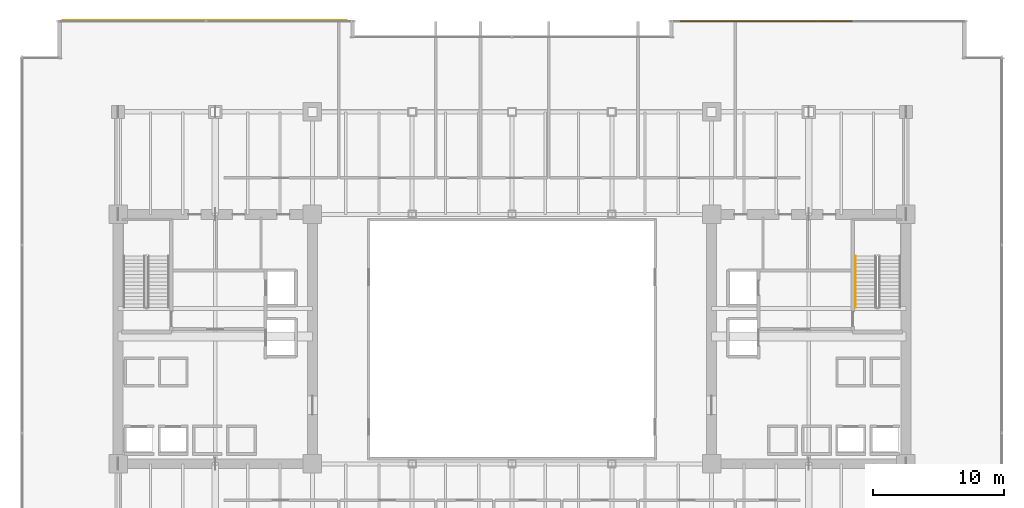
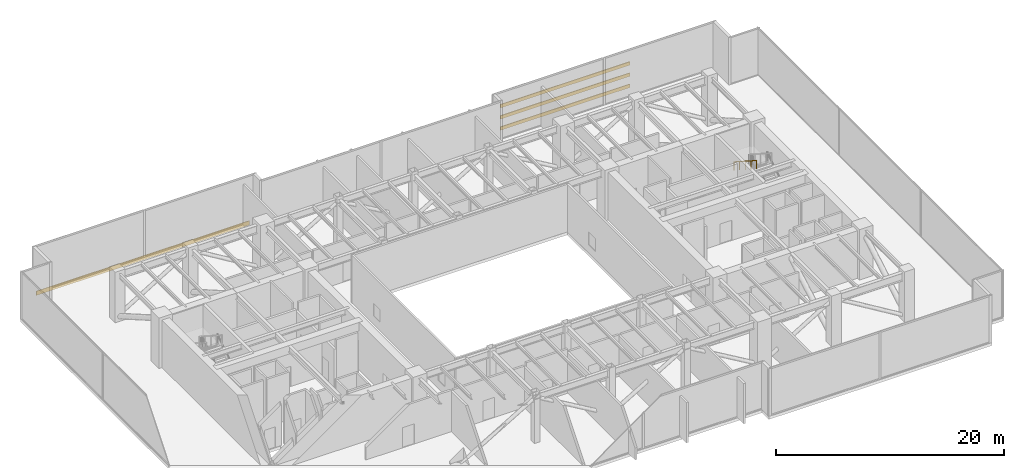
# One storey, part 37 of 38: 3 shading devices, 1 covering, 1 railing.
"""IFC4 building model written with IfcOpenShell, lengths in metres."""

import ifcopenshell
import ifcopenshell.guid

model = None  # the IFC model being written
_history = None  # IfcOwnerHistory: only IFC2X3 demands one
_inside = {}  # id of a spatial element -> (the spatial element, [elements in it])
_under = {}  # id of a project, library or spatial element -> (it, [spatial elements below it])
_declared = {}  # id of a project -> (the project, [libraries it declares])
_typed = {}  # id of a type object -> (the type object, [elements of that type])
_made_of = {}  # id of a material, layer set ... -> (it, [elements and type objects made of it])


def new_model(schema):
    """Start an empty IFC model of exactly this schema.

    Asked for "IFC4X3", IfcOpenShell would pick the latest addendum, in which some entities
    have other attributes; the version numbers below select the first issue.
    IFC2X3 requires an IfcOwnerHistory on every rooted entity: one is made here for all.
    """
    global model, _history
    if schema == "IFC4X3":
        model = ifcopenshell.file(schema_version=(4, 3, 0, 0))
    else:
        model = ifcopenshell.file(schema=schema)
    _inside.clear()
    _under.clear()
    _declared.clear()
    _typed.clear()
    _made_of.clear()
    _history = None
    if model.schema == "IFC2X3":
        org = make("IfcOrganization", Name="unknown")
        user = make(
            "IfcPersonAndOrganization",
            ThePerson=make("IfcPerson", FamilyName="unknown"),
            TheOrganization=org,
        )
        app = make(
            "IfcApplication",
            ApplicationDeveloper=org,
            Version="unknown",
            ApplicationFullName="unknown",
            ApplicationIdentifier="unknown",
        )
        _history = make(
            "IfcOwnerHistory",
            OwningUser=user,
            OwningApplication=app,
            ChangeAction="ADDED",
            CreationDate=0,
        )
    return model


def make(cls, **values):
    """One entity of the class cls with the attributes given. An attribute that is None is left unset."""
    return model.create_entity(
        cls, **{name: value for name, value in values.items() if value is not None}
    )


def rooted(cls, **values):
    """An entity with a GlobalId (a new one), such as an element, a storey or a relation."""
    return make(cls, GlobalId=ifcopenshell.guid.new(), OwnerHistory=_history, **values)


def si_unit(unit_type, name, prefix=None):
    """IfcSIUnit, for example si_unit("LENGTHUNIT", "METRE", prefix="MILLI")."""
    return make("IfcSIUnit", UnitType=unit_type, Prefix=prefix, Name=name)


def assignment(units):
    """IfcUnitAssignment: the units of a project."""
    return None if units is None else make("IfcUnitAssignment", Units=units)


def point(xyz):
    """IfcCartesianPoint."""
    return None if xyz is None else make("IfcCartesianPoint", Coordinates=xyz)


def direction(xyz):
    """IfcDirection."""
    return None if xyz is None else make("IfcDirection", DirectionRatios=xyz)


def frame(location, z_axis=None, x_axis=None):
    """IfcAxis2Placement3D, a coordinate frame: its origin and axes. An axis left out is left unset."""
    return make(
        "IfcAxis2Placement3D",
        Location=point(location),
        Axis=direction(z_axis),
        RefDirection=direction(x_axis),
    )


def frame_2d(location, x_axis=None):
    """IfcAxis2Placement2D, a coordinate frame in the plane: its origin and x axis."""
    return make(
        "IfcAxis2Placement2D", Location=point(location), RefDirection=direction(x_axis)
    )


def origin():
    """The frame at (0, 0, 0) with its axes left unset."""
    return frame((0.0, 0.0, 0.0))


def origin_2d():
    """The frame at (0, 0) in the plane with its x axis left unset."""
    return frame_2d((0.0, 0.0))


def place(relative_to, where):
    """IfcLocalPlacement: puts the frame where relative to a parent placement (None: the world)."""
    return make(
        "IfcLocalPlacement", PlacementRelTo=relative_to, RelativePlacement=where
    )


def context(
    kind, dimensions, precision=None, world=None, true_north=None, identifier=None
):
    """IfcGeometricRepresentationContext, for example the 3D "Model" context."""
    return make(
        "IfcGeometricRepresentationContext",
        ContextIdentifier=identifier,
        ContextType=kind,
        CoordinateSpaceDimension=dimensions,
        Precision=precision,
        WorldCoordinateSystem=world,
        TrueNorth=true_north,
    )


def subcontext(parent, identifier, kind, view, scale=None):
    """IfcGeometricRepresentationSubContext, for example "Body" below "Model"."""
    return make(
        "IfcGeometricRepresentationSubContext",
        ContextIdentifier=identifier,
        ContextType=kind,
        ParentContext=parent,
        TargetScale=scale,
        TargetView=view,
    )


def project(units=None, contexts=None):
    """IfcProject with its units and contexts."""
    return rooted(
        "IfcProject",
        Name="project",
        RepresentationContexts=contexts,
        UnitsInContext=assignment(units),
    )


def spatial(cls, under=None, at=None, **own):
    """A site, building, storey or space (cls), placed at a placement, below another one or the project."""
    s = rooted(cls, ObjectPlacement=at, **own)
    if under is not None:
        _under.setdefault(under.id(), (under, []))[1].append(s)
    return s


def profile(cls, at=None, kind="AREA", **sizes):
    """A parametric profile (cls). Its sizes go by their IFC names, for example OverallWidth=200.0."""
    return make(cls, ProfileType=kind, Position=at, **sizes)


def rectangle(**sizes):
    """IfcRectangleProfileDef."""
    return profile("IfcRectangleProfileDef", **sizes)


def circle(**sizes):
    """IfcCircleProfileDef."""
    return profile("IfcCircleProfileDef", **sizes)


def extrude(swept, where, along, depth):
    """IfcExtrudedAreaSolid: the profile swept, set in the frame where, extruded along a direction by depth."""
    return make(
        "IfcExtrudedAreaSolid",
        SweptArea=swept,
        Position=where,
        ExtrudedDirection=direction(along),
        Depth=depth,
    )


def shape(context_of_items, identifier, shape_type, items):
    """IfcShapeRepresentation: the items that make up one representation, for example the "Body"."""
    return make(
        "IfcShapeRepresentation",
        ContextOfItems=context_of_items,
        RepresentationIdentifier=identifier,
        RepresentationType=shape_type,
        Items=items,
    )


def source(mapping_origin, context_of_items, identifier, shape_type, items):
    """IfcRepresentationMap: a shape defined once, which mapped items show again and again."""
    return make(
        "IfcRepresentationMap",
        MappingOrigin=mapping_origin,
        MappedRepresentation=shape(context_of_items, identifier, shape_type, items),
    )


def transform(
    local_origin,
    x_axis=None,
    y_axis=None,
    z_axis=None,
    scale=None,
    scale2=None,
    scale3=None,
    uniform=True,
):
    """IfcCartesianTransformationOperator3D, or its non-uniform kind. x_axis, y_axis, z_axis: its Axis1, 2, 3."""
    if uniform:
        return make(
            "IfcCartesianTransformationOperator3D",
            Axis1=direction(x_axis),
            Axis2=direction(y_axis),
            LocalOrigin=point(local_origin),
            Scale=scale,
            Axis3=direction(z_axis),
        )
    return make(
        "IfcCartesianTransformationOperator3DnonUniform",
        Axis1=direction(x_axis),
        Axis2=direction(y_axis),
        LocalOrigin=point(local_origin),
        Scale=scale,
        Axis3=direction(z_axis),
        Scale2=scale2,
        Scale3=scale3,
    )


def mapped(mapping_source, mapping_target):
    """IfcMappedItem: shows the shape of a source again, moved by a transform."""
    return make(
        "IfcMappedItem", MappingSource=mapping_source, MappingTarget=mapping_target
    )


def material(Name=None, Category=None):
    """IfcMaterial."""
    return make("IfcMaterial", Name=Name, Category=Category)


def layer(
    of_material, thickness, ventilated=None, Name=None, Category=None, Priority=None
):
    """IfcMaterialLayer: one layer of a wall or slab, of a material (None: an air gap)."""
    return make(
        "IfcMaterialLayer",
        Material=of_material,
        LayerThickness=thickness,
        IsVentilated=ventilated,
        Name=Name,
        Category=Category,
        Priority=Priority,
    )


def layer_set(layers, Name=None):
    """IfcMaterialLayerSet."""
    return make("IfcMaterialLayerSet", MaterialLayers=layers, LayerSetName=Name)


def material_profile(
    of_material, cross_section, Name=None, Category=None, Priority=None
):
    """IfcMaterialProfile: a cross section and its material."""
    return make(
        "IfcMaterialProfile",
        Name=Name,
        Material=of_material,
        Profile=cross_section,
        Priority=Priority,
        Category=Category,
    )


def profile_set(profiles, Name=None, composite=None):
    """IfcMaterialProfileSet."""
    return make(
        "IfcMaterialProfileSet",
        Name=Name,
        MaterialProfiles=profiles,
        CompositeProfile=composite,
    )


def made_of(thing, what):
    """Note that an element or type object is made of a material, layer set ...; save() writes the relation."""
    if what is not None:
        _made_of.setdefault(what.id(), (what, []))[1].append(thing)
    return thing


def type_object(cls, material=None, **own):
    """A type object (cls), such as IfcWallType, which elements share."""
    return made_of(rooted(cls, **own), material)


def type_shapes(of_type, sources):
    """Give a type object the sources (RepresentationMaps) that its elements show as mapped items."""
    of_type.RepresentationMaps = sources


def element(
    cls,
    number,
    at=None,
    inside=None,
    cuts=None,
    type_object=None,
    material=None,
    context=None,
    identifier="Body",
    shape_type=None,
    held_by="IfcProductDefinitionShape",
    body=None,
    shapes=None,
    **own,
):
    """One element of the class cls, such as IfcWall. Its Tag is "e" and its number.

    at: its placement. inside: the storey or other place that contains it. cuts: it is an
    opening in that element (IfcRelVoidsElement). A single representation is given by context,
    identifier, shape_type and body (its items); several are given by shapes. held_by: the class
    of the entity that holds the representations. save() writes the other relations.
    """
    e = rooted(cls, Tag="e%d" % number, ObjectPlacement=at, **own)
    if body is not None:
        shapes = [shape(context, identifier, shape_type, body)]
    if shapes is not None:
        e.Representation = make(held_by, Representations=shapes)
    if inside is not None:
        _inside.setdefault(inside.id(), (inside, []))[1].append(e)
    if cuts is not None:
        rooted(
            "IfcRelVoidsElement", RelatingBuildingElement=cuts, RelatedOpeningElement=e
        )
    if type_object is not None:
        _typed.setdefault(type_object.id(), (type_object, []))[1].append(e)
    return made_of(e, material)


def aggregate(whole, parts):
    """IfcRelAggregates: a whole, such as a stair, and the parts it consists of."""
    return rooted("IfcRelAggregates", RelatingObject=whole, RelatedObjects=parts)


def save(model, path):
    """Write the relations noted so far, then the file.

    IfcRelAggregates (storeys below a building ...), IfcRelContainedInSpatialStructure (elements
    in a storey), IfcRelDefinesByType, IfcRelAssociatesMaterial and IfcRelDeclares: one each for
    every whole, place, type object, material and project.
    """
    for whole, parts in _under.values():
        aggregate(whole, parts)
    for where, things in _inside.values():
        rooted(
            "IfcRelContainedInSpatialStructure",
            RelatedElements=things,
            RelatingStructure=where,
        )
    for kind, things in _typed.values():
        rooted("IfcRelDefinesByType", RelatedObjects=things, RelatingType=kind)
    for what, things in _made_of.values():
        rooted("IfcRelAssociatesMaterial", RelatedObjects=things, RelatingMaterial=what)
    for by, libraries in _declared.values():
        rooted("IfcRelDeclares", RelatingContext=by, RelatedDefinitions=libraries)
    model.write(path)


model = new_model("IFC4")

# Units and contexts
model_context = context("Model", 3, precision=1e-05, world=origin(), true_north=direction((0.0, 1.0)))
body_context = subcontext(model_context, "Body", "Model", "MODEL_VIEW")
ifc_project = project(units=[si_unit("LENGTHUNIT", "METRE"), si_unit("AREAUNIT", "SQUARE_METRE"), si_unit("VOLUMEUNIT", "CUBIC_METRE"), si_unit("PLANEANGLEUNIT", "RADIAN"), si_unit("MASSUNIT", "GRAM", prefix="KILO")], contexts=[model_context])

# Site, building, storey
site_placement = place(None, origin())
site = spatial("IfcSite", under=ifc_project, at=site_placement, CompositionType="ELEMENT")
building_placement = place(site_placement, origin())
building = spatial("IfcBuilding", under=site, at=building_placement, Name="Haelvirn Gate Laboratories", CompositionType="ELEMENT")
storey_placement = place(building_placement, frame((0.0, 0.0, 94.89990234375)))
storey = spatial("IfcBuildingStorey", under=building, at=storey_placement, Name="L23", CompositionType="ELEMENT", Elevation=94.89990234375)

# Covering
ifc_material_1 = material(Name="Anodised bronze honeycomb aluminium spandrel cladding", Category="aluminium")
ifc_layer = layer(ifc_material_1, 0.044921875, Name="COV-CLAD-BRZ")
ifc_layer_set = layer_set([ifc_layer], Name="Anodised bronze honeycomb aluminium spandrel cladding")
covering_type = type_object("IfcCoveringType", Name="COV-CLAD-BRZ", PredefinedType="CLADDING", material=ifc_layer_set)
covering_placement = place(storey_placement, frame((3.199951171875, 48.570068359375, -0.2998046875), z_axis=(0.0, 0.0, 1.0), x_axis=(1.0, 0.0, 0.0)))
element("IfcCovering", 1, at=covering_placement, inside=storey, type_object=covering_type, Name="L23 Bronze Slab-Edge Spandrel Cladding NW", PredefinedType="CLADDING", context=body_context, shape_type="SweptSolid", body=[
    extrude(rectangle(XDim=21.60009765625, YDim=0.044921875, at=frame_2d((10.800048828125, 0.0))), origin(), (0.0, 0.0, 1.0), 0.449951171875),
])

# Shading devices
ifc_material_2 = material(Name="Extruded aluminium 6063-T6 (anodised bronze)", Category="aluminium")
ifc_material_profile = material_profile(ifc_material_2, rectangle(XDim=0.080078125, YDim=0.360107421875, at=origin_2d()), Name="LOUV-360x80")
ifc_profile_set = profile_set([ifc_material_profile], Name="Extruded aluminium 6063-T6 (anodised bronze)")
shading_device_type = type_object("IfcShadingDeviceType", Name="SHD-LOUV-360", PredefinedType="USERDEFINED", material=ifc_profile_set)
shared_shape_1 = source(origin(), body_context, "Body", "SweptSolid", [
    extrude(rectangle(XDim=0.080078125, YDim=0.360107421875, at=origin_2d()), origin(), (0.0, 0.0, 1.0), 13.10009765625),
])
type_shapes(shading_device_type, [shared_shape_1])
for number, where, z_axis, x_axis, name in (
    (2, (50.199951171875, 48.52001953125, 1.150146484375), (1.0, 0.0, 0.0), (0.0, 1.0, 0.0), "L23 North Acoustic Plant Louvre 1"),
    (3, (50.199951171875, 48.52001953125, 2.35009765625), (1.0, 0.0, 0.0), (0.0, 1.0, 0.0), "L23 North Acoustic Plant Louvre 2"),
    (4, (50.199951171875, 48.52001953125, 3.550048828125), (1.0, 0.0, 0.0), (0.0, 1.0, 0.0), "L23 North Acoustic Plant Louvre 3"),
):
    element("IfcShadingDevice", number, at=place(storey_placement, frame(where, z_axis=z_axis, x_axis=x_axis)), inside=storey, type_object=shading_device_type, Name=name, ObjectType="LOUVRE", PredefinedType="USERDEFINED", context=body_context, shape_type="MappedRepresentation", body=[
        mapped(shared_shape_1, transform((0.0, 0.0, 0.0), scale=1.0)),
    ])

# Railing
ifc_material_3 = material(Name="Brushed stainless steel 316L", Category="steel")
railing_type = type_object("IfcRailingType", Name="RL-HAND-920", PredefinedType="HANDRAIL", material=ifc_material_3)
shared_shape_2 = source(origin(), body_context, "Body", "SweptSolid", [
    extrude(circle(Radius=0.02392578125, at=origin_2d()), frame((0.0, 0.0, 0.8759765625), z_axis=(0.0, -0.841186985886, 0.540744352514), x_axis=(1.0, 0.0, 0.0)), (0.0, 0.0, 1.0), 4.660400390625),
    extrude(circle(Radius=0.02099609375, at=origin_2d()), origin(), (0.0, 0.0, 1.0), 0.851806640625),
    extrude(circle(Radius=0.02099609375, at=origin_2d()), frame((0.0, -0.97998046875, 0.6298828125)), (0.0, 0.0, 1.0), 0.851806640625),
    extrude(circle(Radius=0.02099609375, at=origin_2d()), frame((0.0, -1.9599609375, 1.260009765625)), (0.0, 0.0, 1.0), 0.851806640625),
    extrude(circle(Radius=0.02099609375, at=origin_2d()), frame((0.0, -2.940185546875, 1.89013671875)), (0.0, 0.0, 1.0), 0.851806640625),
    extrude(circle(Radius=0.02099609375, at=origin_2d()), frame((0.0, -3.920166015625, 2.52001953125)), (0.0, 0.0, 1.0), 0.851806640625),
])
type_shapes(railing_type, [shared_shape_2])
railing_placement = place(storey_placement, frame((63.550048828125, 30.6201171875, 2.880126953125)))
element("IfcRailing", 5, at=railing_placement, inside=storey, type_object=railing_type, Name="L23 ST2 stair handrail 2", PredefinedType="HANDRAIL", context=body_context, shape_type="MappedRepresentation", body=[
    mapped(shared_shape_2, transform((0.0, 0.0, 0.0), scale=1.0)),
])

save(model, "model.ifc")
